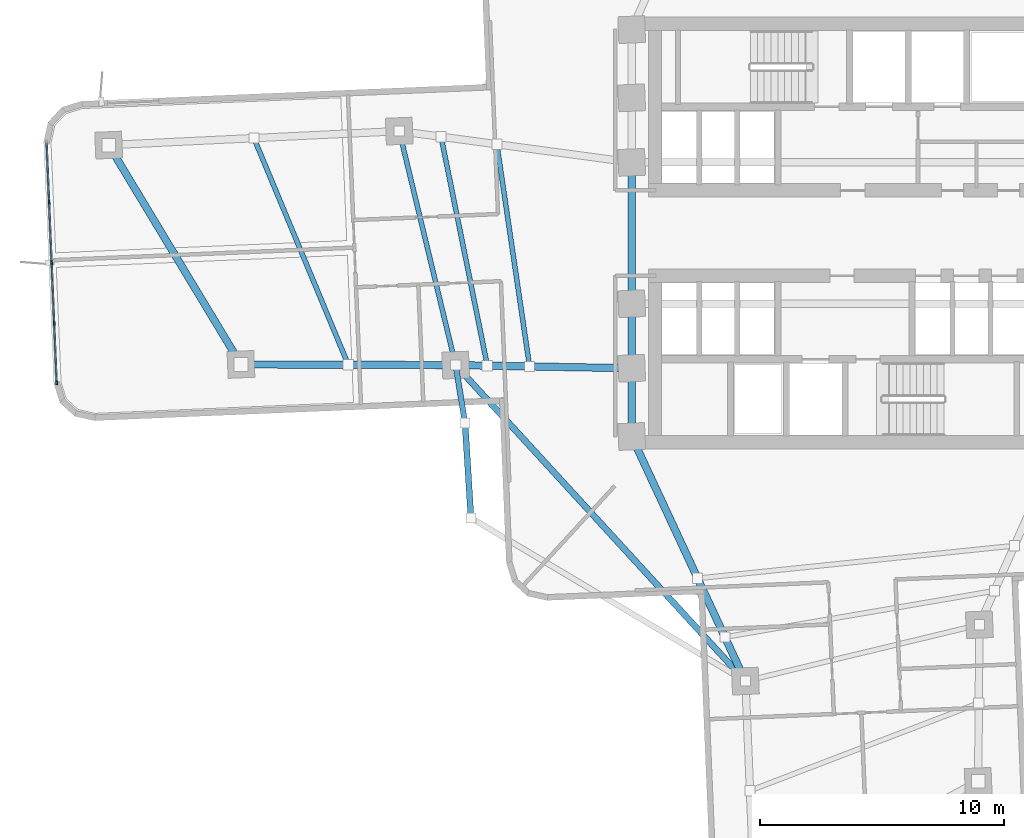
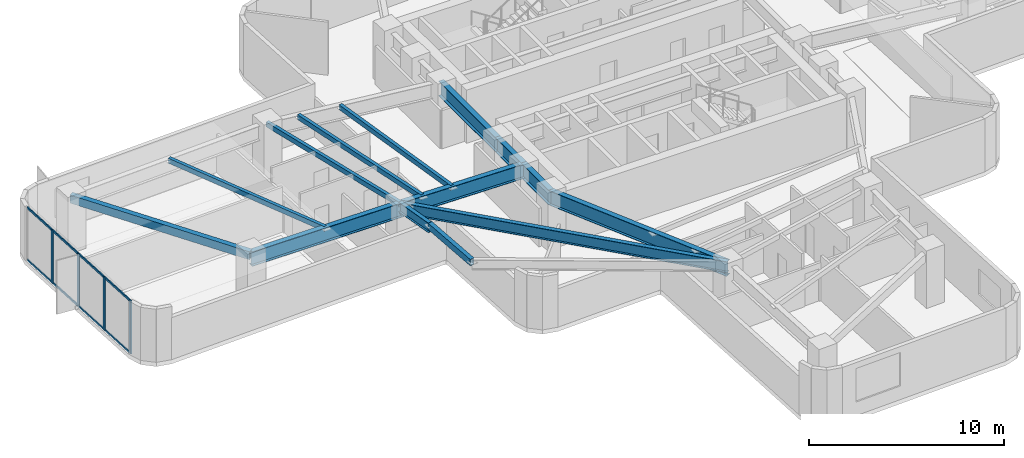
# One storey, part 2 of 15: 14 beams, 12 members, 1 element without a shape of its own.
"""IFC4 building model written with IfcOpenShell, lengths in metres."""

from ifc_helpers import new_model, si_unit, direction, frame, origin, origin_2d, place, context, subcontext, project, spatial, rectangle, hollow_rectangle, i_section, extrude, material, layer, layer_set, material_profile, profile_set, type_object, element, aggregate, save


model = new_model("IFC4")

# Units and contexts
model_context = context("Model", 3, precision=1e-05, world=origin(), true_north=direction((0.0, 1.0)))
body_context = subcontext(model_context, "Body", "Model", "MODEL_VIEW")
ifc_project = project(units=[si_unit("LENGTHUNIT", "METRE"), si_unit("AREAUNIT", "SQUARE_METRE"), si_unit("VOLUMEUNIT", "CUBIC_METRE"), si_unit("PLANEANGLEUNIT", "RADIAN"), si_unit("MASSUNIT", "GRAM", prefix="KILO")], contexts=[model_context])

# Site, building, storey
site_placement = place(None, origin())
site = spatial("IfcSite", under=ifc_project, at=site_placement, CompositionType="ELEMENT")
building_placement = place(site_placement, origin())
building = spatial("IfcBuilding", under=site, at=building_placement, Name="Solmarez Civic Tower", CompositionType="ELEMENT")
storey_placement = place(building_placement, frame((0.0, 0.0, 46.080078125)))
storey = spatial("IfcBuildingStorey", under=building, at=storey_placement, Name="L11", CompositionType="ELEMENT", Elevation=46.080078125)

# Beams
ifc_material_1 = material(Name="Steel S355", Category="steel")
ifc_material_profile_1 = material_profile(ifc_material_1, hollow_rectangle(XDim=0.199951171875, YDim=0.300048828125, WallThickness=0.011962890625, at=origin_2d()), Name="HSS300X200X12")
ifc_profile_set_1 = profile_set([ifc_material_profile_1], Name="Steel S355")
beam_type_1 = type_object("IfcBeamType", Name="BM-JS-HSS300X200", PredefinedType="JOIST", material=ifc_profile_set_1)
beam_1_placement = place(storey_placement, frame((-18.39111328125, 4.18408203125, 3.169921875), z_axis=(0.234328919867, -0.97215737271, 0.0), x_axis=(0.97215737271, 0.234328919867, 0.0)))
element("IfcBeam", 1, at=beam_1_placement, inside=storey, type_object=beam_type_1, Name="L11 Secondary Floor Joist BM-L11-WA-T1", PredefinedType="JOIST", context=body_context, shape_type="SweptSolid", body=[
    extrude(hollow_rectangle(XDim=0.199951171875, YDim=0.300048828125, WallThickness=0.011962890625, at=origin_2d()), origin(), (0.0, 0.0, 1.0), 9.880126953125),
])
beam_2_placement = place(storey_placement, frame((-24.35498046875, 3.89697265625, 3.169921875), z_axis=(0.384310898391, -0.923203733408, 0.0), x_axis=(0.923203733408, 0.384310898391, 0.0)))
element("IfcBeam", 2, at=beam_2_placement, inside=storey, type_object=beam_type_1, Name="L11 Secondary Floor Joist JS-L11-WA-M2", PredefinedType="JOIST", context=body_context, shape_type="SweptSolid", body=[
    extrude(hollow_rectangle(XDim=0.199951171875, YDim=0.300048828125, WallThickness=0.011962890625, at=origin_2d()), origin(), (0.0, 0.0, 1.0), 10.077880859375),
])
beam_3_placement = place(storey_placement, frame((-14.384033203125, 3.64501953125, 3.169921875), z_axis=(0.145687649447, -0.989330636743, 0.0), x_axis=(0.989330636743, 0.145687649447, 0.0)))
element("IfcBeam", 3, at=beam_3_placement, inside=storey, type_object=beam_type_1, Name="L11 Secondary Floor Joist JS-L11-WA-M11", PredefinedType="JOIST", context=body_context, shape_type="SweptSolid", body=[
    extrude(hollow_rectangle(XDim=0.199951171875, YDim=0.300048828125, WallThickness=0.011962890625, at=origin_2d()), origin(), (0.0, 0.0, 1.0), 9.218505859375),
])
beam_4_placement = place(storey_placement, frame((-16.674072265625, 3.952880859375, 3.169921875), z_axis=(0.198099134772, -0.980181989634, 0.0), x_axis=(0.980181989634, 0.198099134772, 0.0)))
element("IfcBeam", 4, at=beam_4_placement, inside=storey, type_object=beam_type_1, Name="L11 Secondary Floor Joist JS-L11-WA-M12", PredefinedType="JOIST", context=body_context, shape_type="SweptSolid", body=[
    extrude(hollow_rectangle(XDim=0.199951171875, YDim=0.300048828125, WallThickness=0.011962890625, at=origin_2d()), origin(), (0.0, 0.0, 1.0), 9.5869140625),
])
ifc_material_profile_2 = material_profile(ifc_material_1, i_section(OverallWidth=0.25390625, OverallDepth=0.68798828125, WebThickness=0.01318359375, FlangeThickness=0.02099609375, at=origin_2d()), Name="W27X102")
ifc_profile_set_2 = profile_set([ifc_material_profile_2], Name="Steel S355")
beam_type_2 = type_object("IfcBeamType", Name="BM-PR-W27X102", PredefinedType="BEAM", material=ifc_profile_set_2)
beam_5_placement = place(storey_placement, frame((-16.075927734375, -5.4208984375, 2.975830078125), z_axis=(0.6758012736, -0.737083874875, 0.0), x_axis=(0.737083874875, 0.6758012736, 0.0)))
element("IfcBeam", 5, at=beam_5_placement, inside=storey, type_object=beam_type_2, Name="L11 Primary Floor Beam BM-L11-BALC-SWC", PredefinedType="BEAM", context=body_context, shape_type="SweptSolid", body=[
    extrude(i_section(OverallWidth=0.25390625, OverallDepth=0.68798828125, WebThickness=0.01318359375, FlangeThickness=0.02099609375, at=origin_2d()), origin(), (0.0, 0.0, 1.0), 17.5966796875),
])
ifc_material_profile_3 = material_profile(ifc_material_1, i_section(OverallWidth=0.303955078125, OverallDepth=0.910888671875, WebThickness=0.015869140625, FlangeThickness=0.02392578125, at=origin_2d()), Name="W36X150")
ifc_profile_set_3 = profile_set([ifc_material_profile_3], Name="Steel S355")
beam_type_3 = type_object("IfcBeamType", Name="BM-PR-W36X150", PredefinedType="BEAM", material=ifc_profile_set_3)
beam_6_placement = place(storey_placement, frame((-8.85009765625, -5.550048828125, 2.864013671875), z_axis=(-0.999840308455, 0.017870578882, 0.0), x_axis=(-0.017870578882, -0.999840308455, 0.0)))
element("IfcBeam", 6, at=beam_6_placement, inside=storey, type_object=beam_type_3, Name="L11 Primary Floor Beam BM-L11-WA-R1B", PredefinedType="BEAM", context=body_context, shape_type="SweptSolid", body=[
    extrude(i_section(OverallWidth=0.303955078125, OverallDepth=0.910888671875, WebThickness=0.015869140625, FlangeThickness=0.02392578125, at=origin_2d()), origin(), (0.0, 0.0, 1.0), 7.22705078125),
])
beam_7_placement = place(storey_placement, frame((-16.075927734375, -5.4208984375, 2.864013671875), z_axis=(-0.99999501223, 0.003158403928, 0.0), x_axis=(-0.003158403928, -0.99999501223, 0.0)))
element("IfcBeam", 7, at=beam_7_placement, inside=storey, type_object=beam_type_3, Name="L11 Primary Floor Beam BM-L11-WA-R2B", PredefinedType="BEAM", context=body_context, shape_type="SweptSolid", body=[
    extrude(i_section(OverallWidth=0.303955078125, OverallDepth=0.910888671875, WebThickness=0.015869140625, FlangeThickness=0.02392578125, at=origin_2d()), origin(), (0.0, 0.0, 1.0), 8.81201171875),
])
beam_8_placement = place(storey_placement, frame((-8.85009765625, -8.35009765625, 2.864013671875), z_axis=(0.421417065364, -0.906866945599, 0.0), x_axis=(0.906866945599, 0.421417065364, 0.0)))
element("IfcBeam", 8, at=beam_8_placement, inside=storey, type_object=beam_type_3, Name="L11 Primary Floor Beam BM-L11-SA-R1A", PredefinedType="BEAM", context=body_context, shape_type="SweptSolid", body=[
    extrude(i_section(OverallWidth=0.303955078125, OverallDepth=0.910888671875, WebThickness=0.015869140625, FlangeThickness=0.02392578125, at=origin_2d()), origin(), (0.0, 0.0, 1.0), 11.072265625),
])
ifc_material_profile_4 = material_profile(ifc_material_1, i_section(OverallWidth=0.306884765625, OverallDepth=0.927001953125, WebThickness=0.019287109375, FlangeThickness=0.031982421875, at=origin_2d()), Name="W36X194")
ifc_profile_set_4 = profile_set([ifc_material_profile_4], Name="Steel S355")
beam_type_4 = type_object("IfcBeamType", Name="BM-PR-W36X194", PredefinedType="BEAM", material=ifc_profile_set_4)
beam_9_placement = place(storey_placement, frame((-8.85009765625, -8.35009765625, 2.85595703125), z_axis=(0.0, 1.0, 0.0), x_axis=(-1.0, 0.0, 0.0)))
element("IfcBeam", 9, at=beam_9_placement, inside=storey, type_object=beam_type_4, Name="L11 Primary Floor Beam BM-L11-HC12-HC1", PredefinedType="BEAM", context=body_context, shape_type="SweptSolid", body=[
    extrude(i_section(OverallWidth=0.306884765625, OverallDepth=0.927001953125, WebThickness=0.019287109375, FlangeThickness=0.031982421875, at=origin_2d()), origin(), (0.0, 0.0, 1.0), 2.800048828125),
])
beam_10_placement = place(storey_placement, frame((-8.85009765625, -5.550048828125, 2.85595703125), z_axis=(0.0, 1.0, 0.0), x_axis=(-1.0, 0.0, 0.0)))
element("IfcBeam", 10, at=beam_10_placement, inside=storey, type_object=beam_type_4, Name="L11 Primary Floor Beam BM-L11-HC1-HC2", PredefinedType="BEAM", context=body_context, shape_type="SweptSolid", body=[
    extrude(i_section(OverallWidth=0.306884765625, OverallDepth=0.927001953125, WebThickness=0.019287109375, FlangeThickness=0.031982421875, at=origin_2d()), origin(), (0.0, 0.0, 1.0), 2.650146484375),
])
beam_11_placement = place(storey_placement, frame((-8.85009765625, -2.89990234375, 2.85595703125), z_axis=(0.0, 1.0, 0.0), x_axis=(-1.0, 0.0, 0.0)))
element("IfcBeam", 11, at=beam_11_placement, inside=storey, type_object=beam_type_4, Name="L11 Primary Floor Beam BM-L11-HC2-HC3", PredefinedType="BEAM", context=body_context, shape_type="SweptSolid", body=[
    extrude(i_section(OverallWidth=0.306884765625, OverallDepth=0.927001953125, WebThickness=0.019287109375, FlangeThickness=0.031982421875, at=origin_2d()), origin(), (0.0, 0.0, 1.0), 5.7998046875),
])
ifc_material_profile_5 = material_profile(ifc_material_1, hollow_rectangle(XDim=0.25, YDim=0.39990234375, WallThickness=0.01611328125, at=origin_2d()), Name="HSS400X250X16")
ifc_profile_set_5 = profile_set([ifc_material_profile_5], Name="Steel S355")
beam_type_5 = type_object("IfcBeamType", Name="BM-SP-HSS400X250", PredefinedType="SPANDREL", material=ifc_profile_set_5)
beam_12_placement = place(storey_placement, frame((-15.69091796875, -7.801025390625, 3.119873046875), z_axis=(0.062791415886, -0.998026672034, 0.0), x_axis=(0.998026672034, 0.062791415886, 0.0)))
element("IfcBeam", 12, at=beam_12_placement, inside=storey, type_object=beam_type_5, Name="L11 Perimeter Spandrel Beam BM-L11-BALC-SWE", PredefinedType="SPANDREL", context=body_context, shape_type="SweptSolid", body=[
    extrude(hollow_rectangle(XDim=0.25, YDim=0.39990234375, WallThickness=0.01611328125, at=origin_2d()), origin(), (0.0, 0.0, 1.0), 3.89990234375),
])
ifc_material_profile_6 = material_profile(ifc_material_1, hollow_rectangle(XDim=0.300048828125, YDim=0.5, WallThickness=0.02001953125, at=origin_2d()), Name="HSS500X300X20")
ifc_profile_set_6 = profile_set([ifc_material_profile_6], Name="Steel S355")
beam_type_6 = type_object("IfcBeamType", Name="BM-SP-HSS500X300", PredefinedType="SPANDREL", material=ifc_profile_set_6)
beam_13_placement = place(storey_placement, frame((-30.318115234375, 3.60888671875, 3.06982421875), z_axis=(0.516522901024, -0.856273374991, 0.0), x_axis=(0.856273374991, 0.516522901024, 0.0)))
element("IfcBeam", 13, at=beam_13_placement, inside=storey, type_object=beam_type_6, Name="L11 Perimeter Spandrel Beam BM-L11-WA-T2", PredefinedType="SPANDREL", context=body_context, shape_type="SweptSolid", body=[
    extrude(hollow_rectangle(XDim=0.300048828125, YDim=0.5, WallThickness=0.02001953125, at=origin_2d()), origin(), (0.0, 0.0, 1.0), 10.512939453125),
])
ifc_material_profile_7 = material_profile(ifc_material_1, i_section(OverallWidth=0.22900390625, OverallDepth=0.612060546875, WebThickness=0.011962890625, FlangeThickness=0.01953125, at=origin_2d()), Name="W24X84")
ifc_profile_set_7 = profile_set([ifc_material_profile_7], Name="Steel S355")
beam_type_7 = type_object("IfcBeamType", Name="BM-SP-W24X84", PredefinedType="SPANDREL", material=ifc_profile_set_7)
beam_14_placement = place(storey_placement, frame((-16.075927734375, -5.4208984375, 3.013916015625), z_axis=(0.159684490548, -0.987168102948, 0.0), x_axis=(0.987168102948, 0.159684490548, 0.0)))
element("IfcBeam", 14, at=beam_14_placement, inside=storey, type_object=beam_type_7, Name="L11 Perimeter Spandrel Beam BM-L11-BALC-SW1", PredefinedType="SPANDREL", context=body_context, shape_type="SweptSolid", body=[
    extrude(i_section(OverallWidth=0.22900390625, OverallDepth=0.612060546875, WebThickness=0.011962890625, FlangeThickness=0.01953125, at=origin_2d()), origin(), (0.0, 0.0, 1.0), 2.4111328125),
])

# Curtain wall, members
ifc_material_2 = material(Name="Bronze Anodised Aluminium EN AW-6063 T6", Category="aluminium")
ifc_layer = layer(ifc_material_2, 0.18505859375)
ifc_layer_set = layer_set([ifc_layer], Name="Bronze Anodised Aluminium EN AW-6063 T6")
curtain_wall_type = type_object("IfcCurtainWallType", Name="CW-SYS-2", PredefinedType="NOTDEFINED", material=ifc_layer_set)
curtain_wall_placement = place(storey_placement, origin())
curtain_wall = element("IfcCurtainWall", 15, at=curtain_wall_placement, inside=storey, type_object=curtain_wall_type, Name="L11 Stick-Built Curtain Wall 1", PredefinedType="NOTDEFINED")
ifc_material_profile_8 = material_profile(ifc_material_2, rectangle(XDim=0.070068359375, YDim=0.179931640625, at=origin_2d()), Name="CWM-70X180")
ifc_profile_set_8 = profile_set([ifc_material_profile_8], Name="Bronze Anodised Aluminium EN AW-6063 T6")
member_type_1 = type_object("IfcMemberType", Name="CWM-TYPE-2", PredefinedType="MULLION", material=ifc_profile_set_8)
member_1_placement = place(storey_placement, frame((-32.451416015625, -6.138916015625, 0.0), z_axis=(0.0, 0.0, 1.0), x_axis=(-0.999123631067, -0.041856538832, 0.0)))
member_1 = element("IfcMember", 16, at=member_1_placement, type_object=member_type_1, Name="CWS2 mullion 1", PredefinedType="MULLION", context=body_context, shape_type="SweptSolid", body=[
    extrude(rectangle(XDim=0.070068359375, YDim=0.179931640625, at=origin_2d()), origin(), (0.0, 0.0, 1.0), 3.31982421875),
])
member_2_placement = place(storey_placement, frame((-32.553955078125, -3.69140625, 0.0), z_axis=(0.0, 0.0, 1.0), x_axis=(-0.999123631067, -0.041856538832, 0.0)))
member_2 = element("IfcMember", 17, at=member_2_placement, type_object=member_type_1, Name="CWS2 mullion 2", PredefinedType="MULLION", context=body_context, shape_type="SweptSolid", body=[
    extrude(rectangle(XDim=0.070068359375, YDim=0.179931640625, at=origin_2d()), origin(), (0.0, 0.0, 1.0), 3.31982421875),
])
member_3_placement = place(storey_placement, frame((-32.657958984375, -1.208984375, 0.0), z_axis=(0.0, 0.0, 1.0), x_axis=(-0.999123631067, -0.041856538832, 0.0)))
member_3 = element("IfcMember", 18, at=member_3_placement, type_object=member_type_1, Name="CWS2 mullion 3", PredefinedType="MULLION", context=body_context, shape_type="SweptSolid", body=[
    extrude(rectangle(XDim=0.070068359375, YDim=0.179931640625, at=origin_2d()), origin(), (0.0, 0.0, 1.0), 3.31982421875),
])
member_4_placement = place(storey_placement, frame((-32.761962890625, 1.2734375, 0.0), z_axis=(0.0, 0.0, 1.0), x_axis=(-0.999123631067, -0.041856538832, 0.0)))
member_4 = element("IfcMember", 19, at=member_4_placement, type_object=member_type_1, Name="CWS2 mullion 4", PredefinedType="MULLION", context=body_context, shape_type="SweptSolid", body=[
    extrude(rectangle(XDim=0.070068359375, YDim=0.179931640625, at=origin_2d()), origin(), (0.0, 0.0, 1.0), 3.31982421875),
])
ifc_material_profile_9 = material_profile(ifc_material_2, rectangle(XDim=0.06494140625, YDim=0.125, at=origin_2d()), Name="CWT-65X125")
ifc_profile_set_9 = profile_set([ifc_material_profile_9], Name="Bronze Anodised Aluminium EN AW-6063 T6")
member_type_2 = type_object("IfcMemberType", Name="CWT-TYPE-2", PredefinedType="USERDEFINED", material=ifc_profile_set_9)
member_5_placement = place(storey_placement, frame((-32.452880859375, -6.10400390625, 0.032470703125), z_axis=(-0.041860994589, 0.999123444391, 0.0), x_axis=(-0.999123444391, -0.041860994589, 0.0)))
member_5 = element("IfcMember", 20, at=member_5_placement, type_object=member_type_2, Name="CWS2 transom 1.1", ObjectType="TRANSOM", PredefinedType="USERDEFINED", context=body_context, shape_type="SweptSolid", body=[
    extrude(rectangle(XDim=0.06494140625, YDim=0.125, at=origin_2d()), origin(), (0.0, 0.0, 1.0), 2.379638671875),
])
member_6_placement = place(storey_placement, frame((-32.452880859375, -6.10400390625, 3.287353515625), z_axis=(-0.041860994589, 0.999123444391, 0.0), x_axis=(-0.999123444391, -0.041860994589, 0.0)))
member_6 = element("IfcMember", 21, at=member_6_placement, type_object=member_type_2, Name="CWS2 transom 1.2", ObjectType="TRANSOM", PredefinedType="USERDEFINED", context=body_context, shape_type="SweptSolid", body=[
    extrude(rectangle(XDim=0.06494140625, YDim=0.125, at=origin_2d()), origin(), (0.0, 0.0, 1.0), 2.379638671875),
])
member_7_placement = place(storey_placement, frame((-32.555419921875, -3.656494140625, 0.032470703125), z_axis=(-0.041857636533, 0.99912358508, 0.0), x_axis=(-0.99912358508, -0.041857636533, 0.0)))
member_7 = element("IfcMember", 22, at=member_7_placement, type_object=member_type_2, Name="CWS2 transom 2.1", ObjectType="TRANSOM", PredefinedType="USERDEFINED", context=body_context, shape_type="SweptSolid", body=[
    extrude(rectangle(XDim=0.06494140625, YDim=0.125, at=origin_2d()), origin(), (0.0, 0.0, 1.0), 2.414794921875),
])
member_8_placement = place(storey_placement, frame((-32.555419921875, -3.656494140625, 3.287353515625), z_axis=(-0.041857636533, 0.99912358508, 0.0), x_axis=(-0.99912358508, -0.041857636533, 0.0)))
member_8 = element("IfcMember", 23, at=member_8_placement, type_object=member_type_2, Name="CWS2 transom 2.2", ObjectType="TRANSOM", PredefinedType="USERDEFINED", context=body_context, shape_type="SweptSolid", body=[
    extrude(rectangle(XDim=0.06494140625, YDim=0.125, at=origin_2d()), origin(), (0.0, 0.0, 1.0), 2.414794921875),
])
member_9_placement = place(storey_placement, frame((-32.659423828125, -1.174072265625, 0.032470703125), z_axis=(-0.041857636533, 0.99912358508, 0.0), x_axis=(-0.99912358508, -0.041857636533, 0.0)))
member_9 = element("IfcMember", 24, at=member_9_placement, type_object=member_type_2, Name="CWS2 transom 3.1", ObjectType="TRANSOM", PredefinedType="USERDEFINED", context=body_context, shape_type="SweptSolid", body=[
    extrude(rectangle(XDim=0.06494140625, YDim=0.125, at=origin_2d()), origin(), (0.0, 0.0, 1.0), 2.414794921875),
])
member_10_placement = place(storey_placement, frame((-32.659423828125, -1.174072265625, 3.287353515625), z_axis=(-0.041857636533, 0.99912358508, 0.0), x_axis=(-0.99912358508, -0.041857636533, 0.0)))
member_10 = element("IfcMember", 25, at=member_10_placement, type_object=member_type_2, Name="CWS2 transom 3.2", ObjectType="TRANSOM", PredefinedType="USERDEFINED", context=body_context, shape_type="SweptSolid", body=[
    extrude(rectangle(XDim=0.06494140625, YDim=0.125, at=origin_2d()), origin(), (0.0, 0.0, 1.0), 2.414794921875),
])
member_11_placement = place(storey_placement, frame((-32.763427734375, 1.308349609375, 0.032470703125), z_axis=(-0.041856703836, 0.999123624155, 0.0), x_axis=(-0.999123624155, -0.041856703836, 0.0)))
member_11 = element("IfcMember", 26, at=member_11_placement, type_object=member_type_2, Name="CWS2 transom 4.1", ObjectType="TRANSOM", PredefinedType="USERDEFINED", context=body_context, shape_type="SweptSolid", body=[
    extrude(rectangle(XDim=0.06494140625, YDim=0.125, at=origin_2d()), origin(), (0.0, 0.0, 1.0), 2.3798828125),
])
member_12_placement = place(storey_placement, frame((-32.763427734375, 1.308349609375, 3.287353515625), z_axis=(-0.041856703836, 0.999123624155, 0.0), x_axis=(-0.999123624155, -0.041856703836, 0.0)))
member_12 = element("IfcMember", 27, at=member_12_placement, type_object=member_type_2, Name="CWS2 transom 4.2", ObjectType="TRANSOM", PredefinedType="USERDEFINED", context=body_context, shape_type="SweptSolid", body=[
    extrude(rectangle(XDim=0.06494140625, YDim=0.125, at=origin_2d()), origin(), (0.0, 0.0, 1.0), 2.3798828125),
])
aggregate(curtain_wall, [member_1, member_2, member_3, member_4, member_5, member_6, member_7, member_8, member_9, member_10, member_11, member_12])

save(model, "model.ifc")
